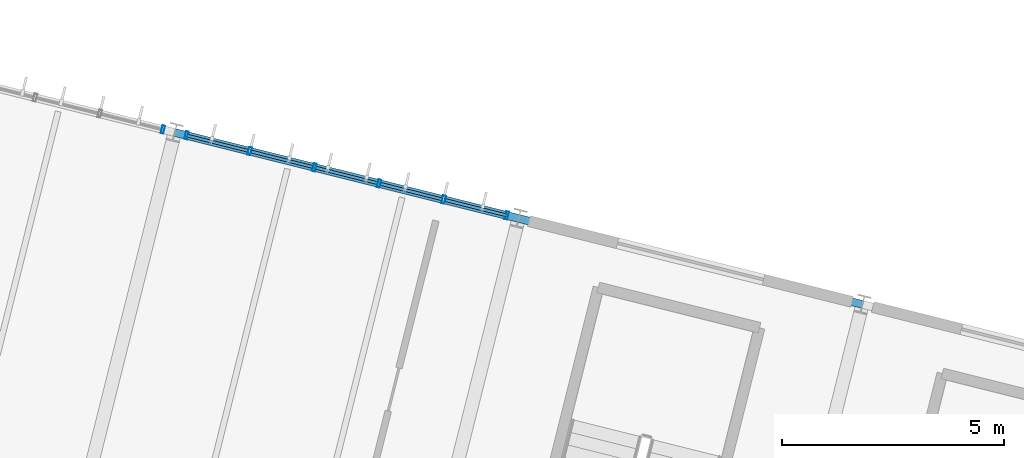
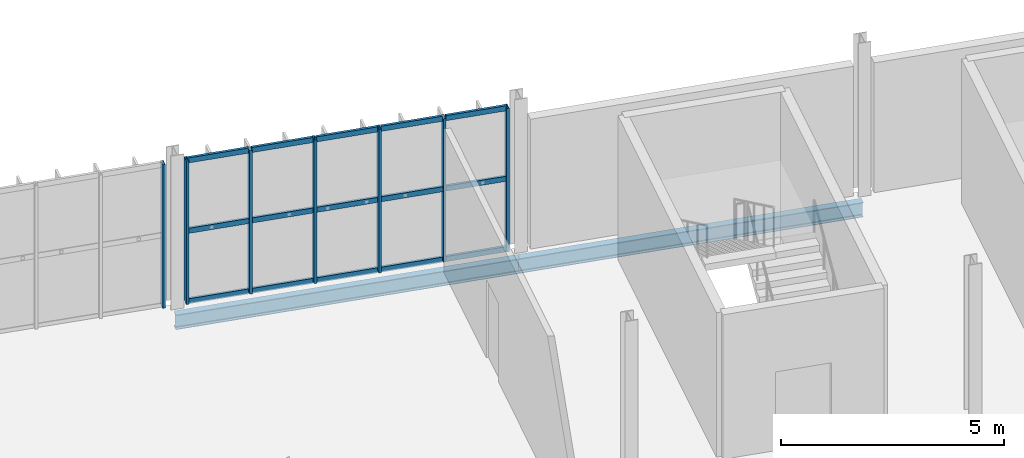
# One storey, part 31 of 61: 22 members, 2 beams, 2 elements without a shape of their own.
"""IFC4 building model written with IfcOpenShell, lengths in metres."""

from ifc_helpers import new_model, si_unit, derived_unit, direction, frame, origin, origin_2d, place, context, subcontext, project, spatial, hollow_rectangle, i_section, extrude, material, material_profile, profile_set, type_object, element, aggregate, save


model = new_model("IFC4")

# Units and contexts
model_context = context("Model", 3, precision=1e-05, world=origin(), true_north=direction((0.0, 1.0)))
body_context = subcontext(model_context, "Body", "Model", "MODEL_VIEW")
ifc_project = project(units=[si_unit("LENGTHUNIT", "METRE"), si_unit("AREAUNIT", "SQUARE_METRE"), si_unit("VOLUMEUNIT", "CUBIC_METRE"), si_unit("PLANEANGLEUNIT", "RADIAN"), si_unit("MASSUNIT", "GRAM", prefix="KILO"), si_unit("THERMODYNAMICTEMPERATUREUNIT", "KELVIN"), si_unit("TIMEUNIT", "SECOND"), derived_unit("THERMALTRANSMITTANCEUNIT", [(si_unit("MASSUNIT", "GRAM", prefix="KILO"), 1), (si_unit("THERMODYNAMICTEMPERATUREUNIT", "KELVIN"), -1), (si_unit("TIMEUNIT", "SECOND"), -3)])], contexts=[model_context])

# Site, building, storey
site_placement = place(None, origin())
site = spatial("IfcSite", under=ifc_project, at=site_placement, CompositionType="ELEMENT")
building_placement = place(site_placement, origin())
building = spatial("IfcBuilding", under=site, at=building_placement, Name="Cambertide Market Hall", CompositionType="ELEMENT")
storey_placement = place(building_placement, frame((0.0, 0.0, 9.89990234375)))
storey = spatial("IfcBuildingStorey", under=building, at=storey_placement, Name="L03", CompositionType="ELEMENT", Elevation=9.89990234375)

# Curtain wall, member
ifc_material_1 = material(Name="Marine Anodized Aluminium 6063-T6 AA25", Category="aluminium")
curtain_wall_type = type_object("IfcCurtainWallType", Name="Cooking School Classroom Curtain Wall", PredefinedType="USERDEFINED", material=ifc_material_1)
curtain_wall_1_placement = place(storey_placement, origin())
curtain_wall_1 = element("IfcCurtainWall", 1, at=curtain_wall_1_placement, inside=storey, type_object=curtain_wall_type, Name="Level 3 Curtain Wall CW-V4N-L03-2", ObjectType="UNITIZED CURTAIN WALL", PredefinedType="USERDEFINED")
ifc_material_2 = material(Name="Champagne Marine Anodized Aluminium 6063-T6 AA25", Category="aluminium")
ifc_material_profile_1 = material_profile(ifc_material_2, hollow_rectangle(XDim=0.06494140625, YDim=0.179931640625, WallThickness=0.00390625, at=origin_2d()), Name="ALU MULLION 65x180")
ifc_profile_set_1 = profile_set([ifc_material_profile_1], Name="Champagne Marine Anodized Aluminium 6063-T6 AA25")
member_type_1 = type_object("IfcMemberType", Name="Curtain Wall Mullion ALU MULLION 65x180", PredefinedType="MULLION", material=ifc_profile_set_1)
member_1_placement = place(storey_placement, frame((129.803955078125, 122.3798828125, 0.0), z_axis=(0.0, 0.0, 1.0), x_axis=(0.970142500145, -0.242535625038, 0.0)))
member_1 = element("IfcMember", 2, at=member_1_placement, type_object=member_type_1, Name="CW-V4N-L03-2 Mullion 6", PredefinedType="MULLION", context=body_context, shape_type="SweptSolid", body=[
    extrude(hollow_rectangle(XDim=0.06494140625, YDim=0.179931640625, WallThickness=0.00390625, at=origin_2d()), origin(), (0.0, 0.0, 1.0), 3.920166015625),
])
aggregate(curtain_wall_1, [member_1])

# Curtain wall, members
curtain_wall_2_placement = place(storey_placement, origin())
curtain_wall_2 = element("IfcCurtainWall", 3, at=curtain_wall_2_placement, inside=storey, type_object=curtain_wall_type, Name="Level 3 Curtain Wall CW-V4N-L03-3", ObjectType="UNITIZED CURTAIN WALL", PredefinedType="USERDEFINED")
member_2_placement = place(storey_placement, frame((130.337646484375, 122.24658203125, 0.0), z_axis=(0.0, 0.0, 1.0), x_axis=(0.970142500145, -0.242535625038, 0.0)))
member_2 = element("IfcMember", 4, at=member_2_placement, type_object=member_type_1, Name="CW-V4N-L03-3 Mullion 1", PredefinedType="MULLION", context=body_context, shape_type="SweptSolid", body=[
    extrude(hollow_rectangle(XDim=0.06494140625, YDim=0.179931640625, WallThickness=0.00390625, at=origin_2d()), origin(), (0.0, 0.0, 1.0), 3.920166015625),
])
member_3_placement = place(storey_placement, frame((131.7626953125, 121.890380859375, 0.0), z_axis=(0.0, 0.0, 1.0), x_axis=(0.970142500145, -0.242535625038, 0.0)))
member_3 = element("IfcMember", 5, at=member_3_placement, type_object=member_type_1, Name="CW-V4N-L03-3 Mullion 2", PredefinedType="MULLION", context=body_context, shape_type="SweptSolid", body=[
    extrude(hollow_rectangle(XDim=0.06494140625, YDim=0.179931640625, WallThickness=0.00390625, at=origin_2d()), origin(), (0.0, 0.0, 1.0), 3.920166015625),
])
member_4_placement = place(storey_placement, frame((133.2216796875, 121.525634765625, 0.0), z_axis=(0.0, 0.0, 1.0), x_axis=(0.970142500145, -0.242535625038, 0.0)))
member_4 = element("IfcMember", 6, at=member_4_placement, type_object=member_type_1, Name="CW-V4N-L03-3 Mullion 3", PredefinedType="MULLION", context=body_context, shape_type="SweptSolid", body=[
    extrude(hollow_rectangle(XDim=0.06494140625, YDim=0.179931640625, WallThickness=0.00390625, at=origin_2d()), origin(), (0.0, 0.0, 1.0), 3.920166015625),
])
member_5_placement = place(storey_placement, frame((134.680908203125, 121.16064453125, 0.0), z_axis=(0.0, 0.0, 1.0), x_axis=(0.970142500145, -0.242535625038, 0.0)))
member_5 = element("IfcMember", 7, at=member_5_placement, type_object=member_type_1, Name="CW-V4N-L03-3 Mullion 4", PredefinedType="MULLION", context=body_context, shape_type="SweptSolid", body=[
    extrude(hollow_rectangle(XDim=0.06494140625, YDim=0.179931640625, WallThickness=0.00390625, at=origin_2d()), origin(), (0.0, 0.0, 1.0), 3.920166015625),
])
member_6_placement = place(storey_placement, frame((136.139892578125, 120.7958984375, 0.0), z_axis=(0.0, 0.0, 1.0), x_axis=(0.970142500145, -0.242535625038, 0.0)))
member_6 = element("IfcMember", 8, at=member_6_placement, type_object=member_type_1, Name="CW-V4N-L03-3 Mullion 5", PredefinedType="MULLION", context=body_context, shape_type="SweptSolid", body=[
    extrude(hollow_rectangle(XDim=0.06494140625, YDim=0.179931640625, WallThickness=0.00390625, at=origin_2d()), origin(), (0.0, 0.0, 1.0), 3.920166015625),
])
member_7_placement = place(storey_placement, frame((137.565185546875, 120.439697265625, 0.0), z_axis=(0.0, 0.0, 1.0), x_axis=(0.970142500145, -0.242535625038, 0.0)))
member_7 = element("IfcMember", 9, at=member_7_placement, type_object=member_type_1, Name="CW-V4N-L03-3 Mullion 6", PredefinedType="MULLION", context=body_context, shape_type="SweptSolid", body=[
    extrude(hollow_rectangle(XDim=0.06494140625, YDim=0.179931640625, WallThickness=0.00390625, at=origin_2d()), origin(), (0.0, 0.0, 1.0), 3.920166015625),
])
ifc_material_3 = material(Name="Champagne Marine Anodized Aluminium 6063-T6 AA25", Category="aluminium")
ifc_material_profile_2 = material_profile(ifc_material_3, hollow_rectangle(XDim=0.06494140625, YDim=0.139892578125, WallThickness=0.00341796875, at=origin_2d()), Name="ALU TRANSOM 65x140")
ifc_profile_set_2 = profile_set([ifc_material_profile_2], Name="Champagne Marine Anodized Aluminium 6063-T6 AA25")
member_type_2 = type_object("IfcMemberType", Name="Curtain Wall Transom ALU TRANSOM 65x140", PredefinedType="USERDEFINED", material=ifc_profile_set_2)
member_8_placement = place(storey_placement, frame((130.34228515625, 122.245361328125, 0.03515625), z_axis=(0.970132415085, -0.242575961715, 0.0), x_axis=(0.242575961715, 0.970132415085, 0.0)))
member_8 = element("IfcMember", 10, at=member_8_placement, type_object=member_type_2, Name="CW-V4N-L03-3 Transom 1-1", ObjectType="TRANSOM", PredefinedType="USERDEFINED", context=body_context, shape_type="SweptSolid", body=[
    extrude(hollow_rectangle(XDim=0.06494140625, YDim=0.139892578125, WallThickness=0.00341796875, at=origin_2d()), origin(), (0.0, 0.0, 1.0), 1.424072265625),
])
member_9_placement = place(storey_placement, frame((131.801513671875, 121.880615234375, 0.03515625), z_axis=(0.970122324991, -0.242616311393, 0.0), x_axis=(0.242616311393, 0.970122324991, 0.0)))
member_9 = element("IfcMember", 11, at=member_9_placement, type_object=member_type_2, Name="CW-V4N-L03-3 Transom 1-2", ObjectType="TRANSOM", PredefinedType="USERDEFINED", context=body_context, shape_type="SweptSolid", body=[
    extrude(hollow_rectangle(XDim=0.06494140625, YDim=0.139892578125, WallThickness=0.00341796875, at=origin_2d()), origin(), (0.0, 0.0, 1.0), 1.423828125),
])
member_10_placement = place(storey_placement, frame((133.260498046875, 121.515869140625, 0.03515625), z_axis=(0.970132415085, -0.242575961715, 0.0), x_axis=(0.242575961715, 0.970132415085, 0.0)))
member_10 = element("IfcMember", 12, at=member_10_placement, type_object=member_type_2, Name="CW-V4N-L03-3 Transom 1-3", ObjectType="TRANSOM", PredefinedType="USERDEFINED", context=body_context, shape_type="SweptSolid", body=[
    extrude(hollow_rectangle(XDim=0.06494140625, YDim=0.139892578125, WallThickness=0.00341796875, at=origin_2d()), origin(), (0.0, 0.0, 1.0), 1.424072265625),
])
member_11_placement = place(storey_placement, frame((134.7197265625, 121.151123046875, 0.03515625), z_axis=(0.970122324991, -0.242616311393, 0.0), x_axis=(0.242616311393, 0.970122324991, 0.0)))
member_11 = element("IfcMember", 13, at=member_11_placement, type_object=member_type_2, Name="CW-V4N-L03-3 Transom 1-4", ObjectType="TRANSOM", PredefinedType="USERDEFINED", context=body_context, shape_type="SweptSolid", body=[
    extrude(hollow_rectangle(XDim=0.06494140625, YDim=0.139892578125, WallThickness=0.00341796875, at=origin_2d()), origin(), (0.0, 0.0, 1.0), 1.423828125),
])
member_12_placement = place(storey_placement, frame((136.1787109375, 120.786376953125, 0.03515625), z_axis=(0.970132415085, -0.242575961715, 0.0), x_axis=(0.242575961715, 0.970132415085, 0.0)))
member_12 = element("IfcMember", 14, at=member_12_placement, type_object=member_type_2, Name="CW-V4N-L03-3 Transom 1-5", ObjectType="TRANSOM", PredefinedType="USERDEFINED", context=body_context, shape_type="SweptSolid", body=[
    extrude(hollow_rectangle(XDim=0.06494140625, YDim=0.139892578125, WallThickness=0.00341796875, at=origin_2d()), origin(), (0.0, 0.0, 1.0), 1.424072265625),
])
member_13_placement = place(storey_placement, frame((130.34228515625, 122.245361328125, 1.960205078125), z_axis=(0.970132415085, -0.242575961715, 0.0), x_axis=(0.242575961715, 0.970132415085, 0.0)))
member_13 = element("IfcMember", 15, at=member_13_placement, type_object=member_type_2, Name="CW-V4N-L03-3 Transom 2-1", ObjectType="TRANSOM", PredefinedType="USERDEFINED", context=body_context, shape_type="SweptSolid", body=[
    extrude(hollow_rectangle(XDim=0.06494140625, YDim=0.139892578125, WallThickness=0.00341796875, at=origin_2d()), origin(), (0.0, 0.0, 1.0), 1.424072265625),
])
member_14_placement = place(storey_placement, frame((131.801513671875, 121.880615234375, 1.960205078125), z_axis=(0.970122324991, -0.242616311393, 0.0), x_axis=(0.242616311393, 0.970122324991, 0.0)))
member_14 = element("IfcMember", 16, at=member_14_placement, type_object=member_type_2, Name="CW-V4N-L03-3 Transom 2-2", ObjectType="TRANSOM", PredefinedType="USERDEFINED", context=body_context, shape_type="SweptSolid", body=[
    extrude(hollow_rectangle(XDim=0.06494140625, YDim=0.139892578125, WallThickness=0.00341796875, at=origin_2d()), origin(), (0.0, 0.0, 1.0), 1.423828125),
])
member_15_placement = place(storey_placement, frame((133.260498046875, 121.515869140625, 1.960205078125), z_axis=(0.970132415085, -0.242575961715, 0.0), x_axis=(0.242575961715, 0.970132415085, 0.0)))
member_15 = element("IfcMember", 17, at=member_15_placement, type_object=member_type_2, Name="CW-V4N-L03-3 Transom 2-3", ObjectType="TRANSOM", PredefinedType="USERDEFINED", context=body_context, shape_type="SweptSolid", body=[
    extrude(hollow_rectangle(XDim=0.06494140625, YDim=0.139892578125, WallThickness=0.00341796875, at=origin_2d()), origin(), (0.0, 0.0, 1.0), 1.424072265625),
])
member_16_placement = place(storey_placement, frame((134.7197265625, 121.151123046875, 1.960205078125), z_axis=(0.970122324991, -0.242616311393, 0.0), x_axis=(0.242616311393, 0.970122324991, 0.0)))
member_16 = element("IfcMember", 18, at=member_16_placement, type_object=member_type_2, Name="CW-V4N-L03-3 Transom 2-4", ObjectType="TRANSOM", PredefinedType="USERDEFINED", context=body_context, shape_type="SweptSolid", body=[
    extrude(hollow_rectangle(XDim=0.06494140625, YDim=0.139892578125, WallThickness=0.00341796875, at=origin_2d()), origin(), (0.0, 0.0, 1.0), 1.423828125),
])
member_17_placement = place(storey_placement, frame((136.1787109375, 120.786376953125, 1.960205078125), z_axis=(0.970132415085, -0.242575961715, 0.0), x_axis=(0.242575961715, 0.970132415085, 0.0)))
member_17 = element("IfcMember", 19, at=member_17_placement, type_object=member_type_2, Name="CW-V4N-L03-3 Transom 2-5", ObjectType="TRANSOM", PredefinedType="USERDEFINED", context=body_context, shape_type="SweptSolid", body=[
    extrude(hollow_rectangle(XDim=0.06494140625, YDim=0.139892578125, WallThickness=0.00341796875, at=origin_2d()), origin(), (0.0, 0.0, 1.0), 1.424072265625),
])
member_18_placement = place(storey_placement, frame((130.34228515625, 122.245361328125, 3.885009765625), z_axis=(0.970132415085, -0.242575961715, 0.0), x_axis=(0.242575961715, 0.970132415085, 0.0)))
member_18 = element("IfcMember", 20, at=member_18_placement, type_object=member_type_2, Name="CW-V4N-L03-3 Transom 3-1", ObjectType="TRANSOM", PredefinedType="USERDEFINED", context=body_context, shape_type="SweptSolid", body=[
    extrude(hollow_rectangle(XDim=0.06494140625, YDim=0.139892578125, WallThickness=0.00341796875, at=origin_2d()), origin(), (0.0, 0.0, 1.0), 1.424072265625),
])
member_19_placement = place(storey_placement, frame((131.801513671875, 121.880615234375, 3.885009765625), z_axis=(0.970122324991, -0.242616311393, 0.0), x_axis=(0.242616311393, 0.970122324991, 0.0)))
member_19 = element("IfcMember", 21, at=member_19_placement, type_object=member_type_2, Name="CW-V4N-L03-3 Transom 3-2", ObjectType="TRANSOM", PredefinedType="USERDEFINED", context=body_context, shape_type="SweptSolid", body=[
    extrude(hollow_rectangle(XDim=0.06494140625, YDim=0.139892578125, WallThickness=0.00341796875, at=origin_2d()), origin(), (0.0, 0.0, 1.0), 1.423828125),
])
member_20_placement = place(storey_placement, frame((133.260498046875, 121.515869140625, 3.885009765625), z_axis=(0.970132415085, -0.242575961715, 0.0), x_axis=(0.242575961715, 0.970132415085, 0.0)))
member_20 = element("IfcMember", 22, at=member_20_placement, type_object=member_type_2, Name="CW-V4N-L03-3 Transom 3-3", ObjectType="TRANSOM", PredefinedType="USERDEFINED", context=body_context, shape_type="SweptSolid", body=[
    extrude(hollow_rectangle(XDim=0.06494140625, YDim=0.139892578125, WallThickness=0.00341796875, at=origin_2d()), origin(), (0.0, 0.0, 1.0), 1.424072265625),
])
member_21_placement = place(storey_placement, frame((134.7197265625, 121.151123046875, 3.885009765625), z_axis=(0.970122324991, -0.242616311393, 0.0), x_axis=(0.242616311393, 0.970122324991, 0.0)))
member_21 = element("IfcMember", 23, at=member_21_placement, type_object=member_type_2, Name="CW-V4N-L03-3 Transom 3-4", ObjectType="TRANSOM", PredefinedType="USERDEFINED", context=body_context, shape_type="SweptSolid", body=[
    extrude(hollow_rectangle(XDim=0.06494140625, YDim=0.139892578125, WallThickness=0.00341796875, at=origin_2d()), origin(), (0.0, 0.0, 1.0), 1.423828125),
])
member_22_placement = place(storey_placement, frame((136.1787109375, 120.786376953125, 3.885009765625), z_axis=(0.970132415085, -0.242575961715, 0.0), x_axis=(0.242575961715, 0.970132415085, 0.0)))
member_22 = element("IfcMember", 24, at=member_22_placement, type_object=member_type_2, Name="CW-V4N-L03-3 Transom 3-5", ObjectType="TRANSOM", PredefinedType="USERDEFINED", context=body_context, shape_type="SweptSolid", body=[
    extrude(hollow_rectangle(XDim=0.06494140625, YDim=0.139892578125, WallThickness=0.00341796875, at=origin_2d()), origin(), (0.0, 0.0, 1.0), 1.424072265625),
])
aggregate(curtain_wall_2, [member_2, member_3, member_4, member_5, member_6, member_7, member_8, member_9, member_10, member_11, member_12, member_13, member_14, member_15, member_16, member_17, member_18, member_19, member_20, member_21, member_22])

# Beams
ifc_material_4 = material(Name="Steel S355", Category="steel")
ifc_material_profile_3 = material_profile(ifc_material_4, i_section(OverallWidth=0.179931640625, OverallDepth=0.39990234375, WebThickness=0.008544921875, FlangeThickness=0.013427734375, FilletRadius=0.02099609375, at=origin_2d()), Name="IPE 400")
ifc_profile_set_3 = profile_set([ifc_material_profile_3], Name="Steel S355")
beam_type = type_object("IfcBeamType", Name="Perimeter Spandrel Beam IPE 400", PredefinedType="SPANDREL", material=ifc_profile_set_3)
beam_1_placement = place(storey_placement, frame((130.07080078125, 122.313232421875, -0.44482421875), z_axis=(0.970144295309, -0.242528444268, 0.0), x_axis=(0.242528444268, 0.970144295309, 0.0)))
element("IfcBeam", 25, at=beam_1_placement, inside=storey, type_object=beam_type, Name="Level 3 Spandrel BM-V4U-L03-3-4", PredefinedType="SPANDREL", context=body_context, shape_type="SweptSolid", body=[
    extrude(i_section(OverallWidth=0.179931640625, OverallDepth=0.39990234375, WebThickness=0.008544921875, FlangeThickness=0.013427734375, FilletRadius=0.02099609375, at=origin_2d()), origin(), (0.0, 0.0, 1.0), 7.999755859375),
])
beam_2_placement = place(storey_placement, frame((137.831787109375, 120.373046875, -0.44482421875), z_axis=(0.970138909791, -0.242549986002, 0.0), x_axis=(0.242549986002, 0.970138909791, 0.0)))
element("IfcBeam", 26, at=beam_2_placement, inside=storey, type_object=beam_type, Name="Level 3 Spandrel BM-V4U-L03-4-4", PredefinedType="SPANDREL", context=body_context, shape_type="SweptSolid", body=[
    extrude(i_section(OverallWidth=0.179931640625, OverallDepth=0.39990234375, WebThickness=0.008544921875, FlangeThickness=0.013427734375, FilletRadius=0.02099609375, at=origin_2d()), origin(), (0.0, 0.0, 1.0), 8.000244140625),
])

save(model, "model.ifc")
